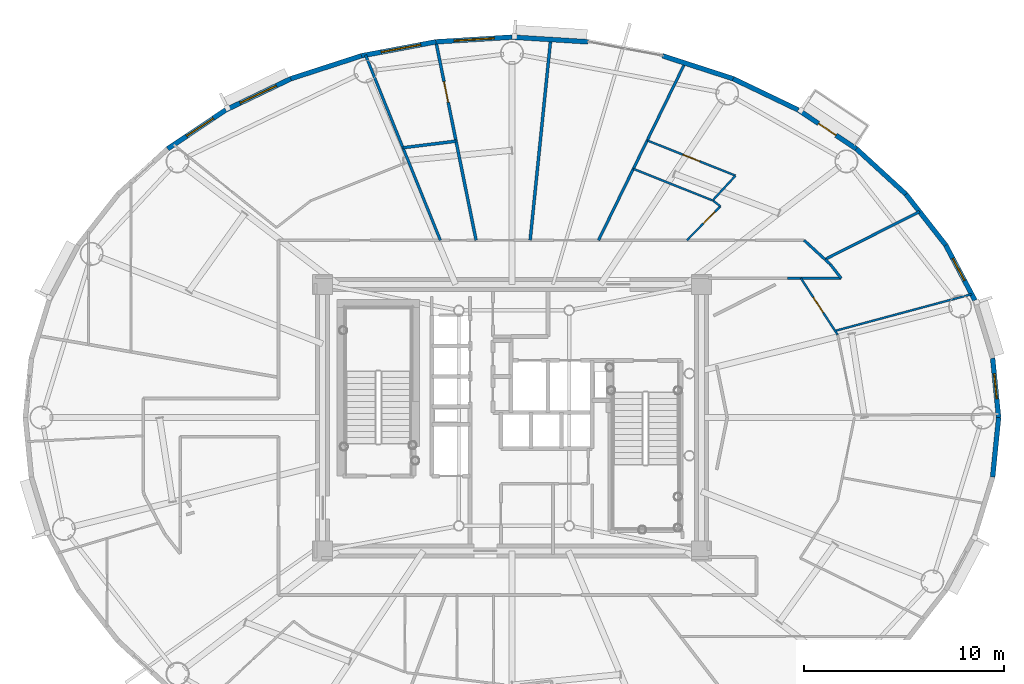
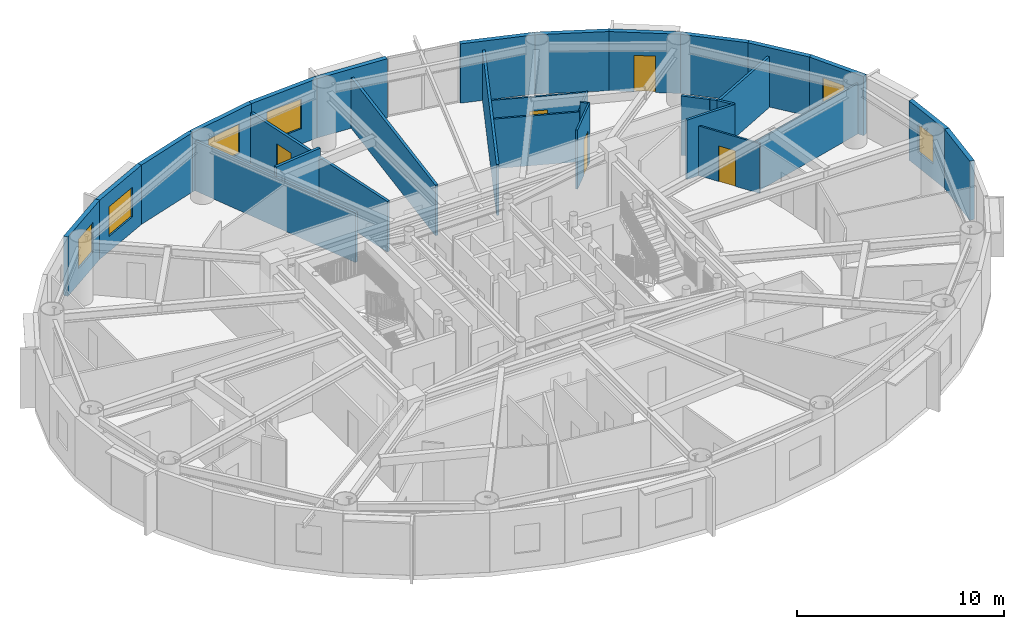
# One storey, part 13 of 21: 31 walls, 6 windows, 5 doors, 11 openings.
"""IFC4 building model written with IfcOpenShell, lengths in metres."""

from ifc_helpers import new_model, si_unit, direction, frame, frame_2d, origin, origin_2d, place, context, subcontext, project, spatial, rectangle, extrude, source, transform, mapped, material, layer, layer_set, type_object, element, fill, save


model = new_model("IFC4")

# Units and contexts
model_context = context("Model", 3, precision=1e-05, world=origin(), true_north=direction((0.0, 1.0)))
body_context = subcontext(model_context, "Body", "Model", "MODEL_VIEW")
ifc_project = project(units=[si_unit("LENGTHUNIT", "METRE"), si_unit("AREAUNIT", "SQUARE_METRE"), si_unit("VOLUMEUNIT", "CUBIC_METRE"), si_unit("PLANEANGLEUNIT", "RADIAN"), si_unit("MASSUNIT", "GRAM", prefix="KILO")], contexts=[model_context])

# Site, building, storey
site_placement = place(None, origin())
site = spatial("IfcSite", under=ifc_project, at=site_placement, CompositionType="ELEMENT")
building_placement = place(site_placement, origin())
building = spatial("IfcBuilding", under=site, at=building_placement, Name="Linh Dai School and Residence Tower", CompositionType="ELEMENT")
storey_placement = place(building_placement, frame((0.0, 0.0, 229.050048828125)))
storey = spatial("IfcBuildingStorey", under=building, at=storey_placement, Name="L56", CompositionType="ELEMENT", Elevation=229.050048828125)

# Wall, opening, window
ifc_material_1 = material(Name="Precast Concrete B45 (C35/45)", Category="concrete")
ifc_layer_1 = layer(ifc_material_1, 0.239990234375)
ifc_layer_set_1 = layer_set([ifc_layer_1], Name="Precast Concrete B45 (C35/45)")
wall_type_1 = type_object("IfcWallType", Name="EW-TC-240", PredefinedType="SOLIDWALL", material=ifc_layer_set_1)
wall_1_placement = place(storey_placement, frame((59.97705078125, 29.9638671875, 0.0), z_axis=(0.0, 0.0, 1.0), x_axis=(0.099990595253, -0.994988382274, 0.0)))
wall_1 = element("IfcWall", 1, at=wall_1_placement, inside=storey, type_object=wall_type_1, Name="L56 Terracotta Exterior Wall 01", PredefinedType="SOLIDWALL", context=body_context, shape_type="SweptSolid", body=[
    extrude(rectangle(XDim=2.978759765625, YDim=0.239990234375, at=frame_2d((1.4892578125, 0.0))), origin(), (0.0, 0.0, 1.0), 3.5),
])
opening_1_placement = place(wall_1_placement, frame((0.776611328125, 0.0, 0.89990234375)))
opening_1 = element("IfcOpeningElement", 2, at=opening_1_placement, cuts=wall_1, Name="Opening W3", PredefinedType="OPENING", context=body_context, shape_type="SweptSolid", body=[
    extrude(rectangle(XDim=1.25, YDim=1.64990234375, at=origin_2d()), frame((0.625, 0.1298828125, 0.824951171875), z_axis=(0.0, -1.0, 0.0), x_axis=(1.0, 0.0, 0.0)), (0.0, 0.0, 1.0), 0.260009765625),
])
ifc_material_2 = material(Name="Double Low-E Insulated Glazing", Category="glass")
window_type_1 = type_object("IfcWindowType", Name="WN-RES-1250x1650", PartitioningType="SINGLE_PANEL", PredefinedType="WINDOW", material=ifc_material_2)
shared_shape_1 = source(origin(), body_context, "Body", "SweptSolid", [
    extrude(rectangle(XDim=1.25, YDim=1.64990234375, at=origin_2d()), frame((0.625, 0.030029296875, 0.824951171875), z_axis=(0.0, -1.0, 0.0), x_axis=(1.0, 0.0, 0.0)), (0.0, 0.0, 1.0), 0.06005859375),
])
window_1_placement = place(opening_1_placement, origin())
window_1 = element("IfcWindow", 3, at=window_1_placement, inside=storey, type_object=window_type_1, Name="L56 Exterior Window 01.1", OverallHeight=1.64990234375, OverallWidth=1.25, PartitioningType="SINGLE_PANEL", PredefinedType="WINDOW", context=body_context, shape_type="MappedRepresentation", body=[
    mapped(shared_shape_1, transform((0.0, 0.0, 0.0), x_axis=(1.0, 0.0, 0.0), y_axis=(0.0, 1.0, 0.0), z_axis=(0.0, 0.0, 1.0), scale=1.0)),
])
fill(opening_1, window_1)

wall_2_placement = place(storey_placement, frame((57.6357421875, 35.605224609375, 0.0), z_axis=(0.0, 0.0, 1.0), x_axis=(0.46766049993, -0.883908172157, 0.0)))
wall_2 = element("IfcWall", 4, at=wall_2_placement, inside=storey, type_object=wall_type_1, Name="L56 Terracotta Exterior Wall 03", PredefinedType="SOLIDWALL", context=body_context, shape_type="SweptSolid", body=[
    extrude(rectangle(XDim=3.1103515625, YDim=0.239990234375, at=frame_2d((1.55517578125, 0.0))), origin(), (0.0, 0.0, 1.0), 3.5),
])
opening_2_placement = place(wall_2_placement, frame((0.751220703125, 0.0, 0.89990234375)))
opening_2 = element("IfcOpeningElement", 5, at=opening_2_placement, cuts=wall_2, Name="Opening W3", PredefinedType="OPENING", context=body_context, shape_type="SweptSolid", body=[
    extrude(rectangle(XDim=1.25, YDim=1.64990234375, at=origin_2d()), frame((0.625, 0.1298828125, 0.824951171875), z_axis=(0.0, -1.0, 0.0), x_axis=(1.0, 0.0, 0.0)), (0.0, 0.0, 1.0), 0.260009765625),
])
window_2_placement = place(opening_2_placement, origin())
window_2 = element("IfcWindow", 6, at=window_2_placement, inside=storey, type_object=window_type_1, Name="L56 Exterior Window 03.1", OverallHeight=1.64990234375, OverallWidth=1.25, PartitioningType="SINGLE_PANEL", PredefinedType="WINDOW", context=body_context, shape_type="MappedRepresentation", body=[
    mapped(shared_shape_1, transform((0.0, 0.0, 0.0), x_axis=(1.0, 0.0, 0.0), y_axis=(0.0, 1.0, 0.0), z_axis=(0.0, 0.0, 1.0), scale=1.0)),
])
fill(opening_2, window_2)

# Walls
wall_3_placement = place(storey_placement, frame((55.6484375, 38.14453125, 0.0), z_axis=(0.0, 0.0, 1.0), x_axis=(0.616312344705, -0.787501805562, 0.0)))
element("IfcWall", 7, at=wall_3_placement, inside=storey, type_object=wall_type_1, Name="L56 Terracotta Exterior Wall 04", PredefinedType="SOLIDWALL", context=body_context, shape_type="SweptSolid", body=[
    extrude(rectangle(XDim=3.224609375, YDim=0.239990234375, at=frame_2d((1.6123046875, 0.0))), origin(), (0.0, 0.0, 1.0), 3.5),
])
wall_4_placement = place(storey_placement, frame((53.17626953125, 40.410888671875, 0.0), z_axis=(0.0, 0.0, 1.0), x_axis=(0.737123922599, -0.675757591694, 0.0)))
element("IfcWall", 8, at=wall_4_placement, inside=storey, type_object=wall_type_1, Name="L56 Terracotta Exterior Wall 05", PredefinedType="SOLIDWALL", context=body_context, shape_type="SweptSolid", body=[
    extrude(rectangle(XDim=3.353759765625, YDim=0.239990234375, at=frame_2d((1.6767578125, 0.0))), origin(), (0.0, 0.0, 1.0), 3.5),
])

# Wall, opening, door
wall_5_placement = place(storey_placement, frame((50.280029296875, 42.34765625, 0.0), z_axis=(0.0, 0.0, 1.0), x_axis=(0.831262496074, -0.555880079352, 0.0)))
wall_5 = element("IfcWall", 9, at=wall_5_placement, inside=storey, type_object=wall_type_1, Name="L56 Terracotta Exterior Wall 06", PredefinedType="SOLIDWALL", context=body_context, shape_type="SweptSolid", body=[
    extrude(rectangle(XDim=3.484130859375, YDim=0.239990234375, at=frame_2d((1.7421875, 0.0))), origin(), (0.0, 0.0, 1.0), 3.5),
])
opening_3_placement = place(wall_5_placement, frame((1.217041015625, 0.0, 0.0)))
opening_3 = element("IfcOpeningElement", 10, at=opening_3_placement, cuts=wall_5, Name="Opening BD1", PredefinedType="OPENING", context=body_context, shape_type="SweptSolid", body=[
    extrude(rectangle(XDim=1.050048828125, YDim=2.14990234375, at=origin_2d()), frame((0.52490234375, 0.1298828125, 1.074951171875), z_axis=(0.0, -1.0, 0.0), x_axis=(1.0, 0.0, 0.0)), (0.0, 0.0, 1.0), 0.260009765625),
])
ifc_material_3 = material(Name="Double-Glazed Balcony Door", Category="glass")
door_type_1 = type_object("IfcDoorType", Name="DR-BALC-1050x2150", OperationType="NOTDEFINED", PredefinedType="DOOR", material=ifc_material_3)
shared_shape_2 = source(origin(), body_context, "Body", "SweptSolid", [
    extrude(rectangle(XDim=1.050048828125, YDim=2.14990234375, at=origin_2d()), frame((0.52490234375, 0.02490234375, 1.074951171875), z_axis=(0.0, -1.0, 0.0), x_axis=(1.0, 0.0, 0.0)), (0.0, 0.0, 1.0), 0.050048828125),
])
door_1_placement = place(opening_3_placement, origin())
door_1 = element("IfcDoor", 11, at=door_1_placement, inside=storey, type_object=door_type_1, Name="L56 Glazed Balcony Door 06", OperationType="SINGLE_SWING_RIGHT", OverallHeight=2.14990234375, OverallWidth=1.050048828125, PredefinedType="DOOR", context=body_context, shape_type="MappedRepresentation", body=[
    mapped(shared_shape_2, transform((0.0, 0.0, 0.0), x_axis=(1.0, 0.0, 0.0), y_axis=(0.0, 1.0, 0.0), z_axis=(0.0, 0.0, 1.0), scale=1.0)),
])
fill(opening_3, door_1)

# Walls
wall_6_placement = place(storey_placement, frame((47.031005859375, 43.906494140625, 0.0), z_axis=(0.0, 0.0, 1.0), x_axis=(0.901598104751, -0.432574684313, 0.0)))
element("IfcWall", 12, at=wall_6_placement, inside=storey, type_object=wall_type_1, Name="L56 Terracotta Exterior Wall 07", PredefinedType="SOLIDWALL", context=body_context, shape_type="SweptSolid", body=[
    extrude(rectangle(XDim=3.603515625, YDim=0.239990234375, at=frame_2d((1.8017578125, 0.0))), origin(), (0.0, 0.0, 1.0), 3.5),
])
wall_7_placement = place(storey_placement, frame((43.50927734375, 45.048828125, 0.0), z_axis=(0.0, 0.0, 1.0), x_axis=(0.951210789182, -0.308541787354, 0.0)))
element("IfcWall", 13, at=wall_7_placement, inside=storey, type_object=wall_type_1, Name="L56 Terracotta Exterior Wall 08", PredefinedType="SOLIDWALL", context=body_context, shape_type="SweptSolid", body=[
    extrude(rectangle(XDim=3.702392578125, YDim=0.239990234375, at=frame_2d((1.85107421875, 0.0))), origin(), (0.0, 0.0, 1.0), 3.5),
])
wall_8_placement = place(storey_placement, frame((36.0, 45.97998046875, 0.0), z_axis=(0.0, 0.0, 1.0), x_axis=(0.998108785312, -0.06147237333, 0.0)))
element("IfcWall", 14, at=wall_8_placement, inside=storey, type_object=wall_type_1, Name="L56 Terracotta Exterior Wall 10", PredefinedType="SOLIDWALL", context=body_context, shape_type="SweptSolid", body=[
    extrude(rectangle(XDim=3.808837890625, YDim=0.239990234375, at=frame_2d((1.904296875, 0.0))), origin(), (0.0, 0.0, 1.0), 3.5),
])

# Wall, opening, window
wall_9_placement = place(storey_placement, frame((32.198486328125, 45.745849609375, 0.0), z_axis=(0.0, 0.0, 1.0), x_axis=(0.998108785312, 0.06147237333, 0.0)))
wall_9 = element("IfcWall", 15, at=wall_9_placement, inside=storey, type_object=wall_type_1, Name="L56 Terracotta Exterior Wall 11", PredefinedType="SOLIDWALL", context=body_context, shape_type="SweptSolid", body=[
    extrude(rectangle(XDim=3.808837890625, YDim=0.239990234375, at=frame_2d((1.904296875, 0.0))), origin(), (0.0, 0.0, 1.0), 3.5),
])
opening_4_placement = place(wall_9_placement, frame((0.913330078125, 0.0, 0.89990234375)))
opening_4 = element("IfcOpeningElement", 16, at=opening_4_placement, cuts=wall_9, Name="Opening W1", PredefinedType="OPENING", context=body_context, shape_type="SweptSolid", body=[
    extrude(rectangle(XDim=2.0, YDim=1.75, at=origin_2d()), frame((1.0, 0.1298828125, 0.875), z_axis=(0.0, -1.0, 0.0), x_axis=(1.0, 0.0, 0.0)), (0.0, 0.0, 1.0), 0.260009765625),
])
window_type_2 = type_object("IfcWindowType", Name="WN-RES-2000x1750", PartitioningType="DOUBLE_PANEL_VERTICAL", PredefinedType="WINDOW", material=ifc_material_2)
shared_shape_3 = source(origin(), body_context, "Body", "SweptSolid", [
    extrude(rectangle(XDim=2.0, YDim=1.75, at=origin_2d()), frame((1.0, 0.030029296875, 0.875), z_axis=(0.0, -1.0, 0.0), x_axis=(1.0, 0.0, 0.0)), (0.0, 0.0, 1.0), 0.06005859375),
])
window_3_placement = place(opening_4_placement, origin())
window_3 = element("IfcWindow", 17, at=window_3_placement, inside=storey, type_object=window_type_2, Name="L56 Exterior Window 11.1", OverallHeight=1.75, OverallWidth=2.0, PartitioningType="DOUBLE_PANEL_VERTICAL", PredefinedType="WINDOW", context=body_context, shape_type="MappedRepresentation", body=[
    mapped(shared_shape_3, transform((0.0, 0.0, 0.0), x_axis=(1.0, 0.0, 0.0), y_axis=(0.0, 1.0, 0.0), z_axis=(0.0, 0.0, 1.0), scale=1.0)),
])
fill(opening_4, window_3)

wall_10_placement = place(storey_placement, frame((28.49072265625, 45.048828125, 0.0), z_axis=(0.0, 0.0, 1.0), x_axis=(0.982784898575, 0.184753465822, 0.0)))
wall_10 = element("IfcWall", 18, at=wall_10_placement, inside=storey, type_object=wall_type_1, Name="L56 Terracotta Exterior Wall 12", PredefinedType="SOLIDWALL", context=body_context, shape_type="SweptSolid", body=[
    extrude(rectangle(XDim=3.772705078125, YDim=0.239990234375, at=frame_2d((1.88623046875, 0.0))), origin(), (0.0, 0.0, 1.0), 3.5),
])
opening_5_placement = place(wall_10_placement, frame((1.00634765625, 0.0, 0.89990234375)))
opening_5 = element("IfcOpeningElement", 19, at=opening_5_placement, cuts=wall_10, Name="Opening W1", PredefinedType="OPENING", context=body_context, shape_type="SweptSolid", body=[
    extrude(rectangle(XDim=2.0, YDim=1.75, at=origin_2d()), frame((1.0, 0.1298828125, 0.875), z_axis=(0.0, -1.0, 0.0), x_axis=(1.0, 0.0, 0.0)), (0.0, 0.0, 1.0), 0.260009765625),
])
window_4_placement = place(opening_5_placement, origin())
window_4 = element("IfcWindow", 20, at=window_4_placement, inside=storey, type_object=window_type_2, Name="L56 Exterior Window 12.1", OverallHeight=1.75, OverallWidth=2.0, PartitioningType="DOUBLE_PANEL_VERTICAL", PredefinedType="WINDOW", context=body_context, shape_type="MappedRepresentation", body=[
    mapped(shared_shape_3, transform((0.0, 0.0, 0.0), x_axis=(1.0, 0.0, 0.0), y_axis=(0.0, 1.0, 0.0), z_axis=(0.0, 0.0, 1.0), scale=1.0)),
])
fill(opening_5, window_4)

# Wall
wall_11_placement = place(storey_placement, frame((24.968994140625, 43.906494140625, 0.0), z_axis=(0.0, 0.0, 1.0), x_axis=(0.951210789182, 0.308541787354, 0.0)))
element("IfcWall", 21, at=wall_11_placement, inside=storey, type_object=wall_type_1, Name="L56 Terracotta Exterior Wall 13", PredefinedType="SOLIDWALL", context=body_context, shape_type="SweptSolid", body=[
    extrude(rectangle(XDim=3.702392578125, YDim=0.239990234375, at=frame_2d((1.85107421875, 0.0))), origin(), (0.0, 0.0, 1.0), 3.5),
])

# Wall, opening, window
wall_12_placement = place(storey_placement, frame((21.719970703125, 42.34765625, 0.0), z_axis=(0.0, 0.0, 1.0), x_axis=(0.901598104751, 0.432574684313, 0.0)))
wall_12 = element("IfcWall", 22, at=wall_12_placement, inside=storey, type_object=wall_type_1, Name="L56 Terracotta Exterior Wall 14", PredefinedType="SOLIDWALL", context=body_context, shape_type="SweptSolid", body=[
    extrude(rectangle(XDim=3.603515625, YDim=0.239990234375, at=frame_2d((1.8017578125, 0.0))), origin(), (0.0, 0.0, 1.0), 3.5),
])
opening_6_placement = place(wall_12_placement, frame((0.802001953125, 0.0, 0.89990234375)))
opening_6 = element("IfcOpeningElement", 23, at=opening_6_placement, cuts=wall_12, Name="Opening W1", PredefinedType="OPENING", context=body_context, shape_type="SweptSolid", body=[
    extrude(rectangle(XDim=2.0, YDim=1.75, at=origin_2d()), frame((1.0, 0.1298828125, 0.875), z_axis=(0.0, -1.0, 0.0), x_axis=(1.0, 0.0, 0.0)), (0.0, 0.0, 1.0), 0.260009765625),
])
window_5_placement = place(opening_6_placement, origin())
window_5 = element("IfcWindow", 24, at=window_5_placement, inside=storey, type_object=window_type_2, Name="L56 Exterior Window 14.1", OverallHeight=1.75, OverallWidth=2.0, PartitioningType="DOUBLE_PANEL_VERTICAL", PredefinedType="WINDOW", context=body_context, shape_type="MappedRepresentation", body=[
    mapped(shared_shape_3, transform((0.0, 0.0, 0.0), x_axis=(1.0, 0.0, 0.0), y_axis=(0.0, 1.0, 0.0), z_axis=(0.0, 0.0, 1.0), scale=1.0)),
])
fill(opening_6, window_5)

wall_13_placement = place(storey_placement, frame((18.82373046875, 40.410888671875, 0.0), z_axis=(0.0, 0.0, 1.0), x_axis=(0.831262496074, 0.555880079352, 0.0)))
wall_13 = element("IfcWall", 25, at=wall_13_placement, inside=storey, type_object=wall_type_1, Name="L56 Terracotta Exterior Wall 15", PredefinedType="SOLIDWALL", context=body_context, shape_type="SweptSolid", body=[
    extrude(rectangle(XDim=3.484130859375, YDim=0.239990234375, at=frame_2d((1.7421875, 0.0))), origin(), (0.0, 0.0, 1.0), 3.5),
])
opening_7_placement = place(wall_13_placement, frame((1.14013671875, 0.0, 0.89990234375)))
opening_7 = element("IfcOpeningElement", 26, at=opening_7_placement, cuts=wall_13, Name="Opening W2", PredefinedType="OPENING", context=body_context, shape_type="SweptSolid", body=[
    extrude(rectangle(XDim=1.60009765625, YDim=1.75, at=origin_2d()), frame((0.800048828125, 0.1298828125, 0.875), z_axis=(0.0, -1.0, 0.0), x_axis=(1.0, 0.0, 0.0)), (0.0, 0.0, 1.0), 0.260009765625),
])
window_type_3 = type_object("IfcWindowType", Name="WN-RES-1600x1750", PartitioningType="DOUBLE_PANEL_VERTICAL", PredefinedType="WINDOW", material=ifc_material_2)
shared_shape_4 = source(origin(), body_context, "Body", "SweptSolid", [
    extrude(rectangle(XDim=1.60009765625, YDim=1.75, at=origin_2d()), frame((0.800048828125, 0.030029296875, 0.875), z_axis=(0.0, -1.0, 0.0), x_axis=(1.0, 0.0, 0.0)), (0.0, 0.0, 1.0), 0.06005859375),
])
window_6_placement = place(opening_7_placement, origin())
window_6 = element("IfcWindow", 27, at=window_6_placement, inside=storey, type_object=window_type_3, Name="L56 Exterior Window 15.1", OverallHeight=1.75, OverallWidth=1.60009765625, PartitioningType="DOUBLE_PANEL_VERTICAL", PredefinedType="WINDOW", context=body_context, shape_type="MappedRepresentation", body=[
    mapped(shared_shape_4, transform((0.0, 0.0, 0.0), x_axis=(1.0, 0.0, 0.0), y_axis=(0.0, 1.0, 0.0), z_axis=(0.0, 0.0, 1.0), scale=1.0)),
])
fill(opening_7, window_6)

# Walls
wall_14_placement = place(storey_placement, frame((60.27490234375, 27.0, 0.0), z_axis=(0.0, 0.0, 1.0), x_axis=(-0.099990595253, -0.994988382274, 0.0)))
element("IfcWall", 28, at=wall_14_placement, inside=storey, type_object=wall_type_1, Name="L56 Terracotta Exterior Wall 40", PredefinedType="SOLIDWALL", context=body_context, shape_type="SweptSolid", body=[
    extrude(rectangle(XDim=2.978759765625, YDim=0.239990234375, at=frame_2d((1.4892578125, 0.0))), origin(), (0.0, 0.0, 1.0), 3.5),
])
ifc_material_4 = material(Name="Autoclaved Aerated Concrete Blockwork", Category="masonry")
ifc_layer_2 = layer(ifc_material_4, 0.135009765625)
ifc_layer_set_2 = layer_set([ifc_layer_2], Name="Autoclaved Aerated Concrete Blockwork")
wall_type_2 = type_object("IfcWallType", Name="IW-CORR-135-EI90", PredefinedType="PARTITIONING", material=ifc_layer_set_2)
wall_15_placement = place(storey_placement, frame((28.690673828125, 45.09130859375, 0.0), z_axis=(0.0, 0.0, 1.0), x_axis=(0.37459385956, -0.927188999277, 0.0)))
element("IfcWall", 29, at=wall_15_placement, inside=storey, type_object=wall_type_2, Name="L56 Interior Partition Wall 026", PredefinedType="PARTITIONING", context=body_context, shape_type="SweptSolid", body=[
    extrude(rectangle(XDim=9.96728515625, YDim=0.135009765625, at=frame_2d((4.983642578125, 0.0))), origin(), (0.0, 0.0, 1.0), 2.93505859375),
])
wall_16_placement = place(storey_placement, frame((40.31640625, 35.85009765625, 0.0), z_axis=(0.0, 0.0, 1.0), x_axis=(0.438375708348, 0.898791821464, 0.0)))
element("IfcWall", 30, at=wall_16_placement, inside=storey, type_object=wall_type_2, Name="L56 Interior Partition Wall 066", PredefinedType="PARTITIONING", context=body_context, shape_type="SweptSolid", body=[
    extrude(rectangle(XDim=9.83642578125, YDim=0.135009765625, at=frame_2d((4.918212890625, 0.0))), origin(), (0.0, 0.0, 1.0), 2.98486328125),
])
wall_17_placement = place(storey_placement, frame((49.74755859375, 33.949951171875, 0.0), z_axis=(0.0, 0.0, 1.0), x_axis=(1.0, 0.0, 0.0)))
element("IfcWall", 31, at=wall_17_placement, inside=storey, type_object=wall_type_2, Name="L56 Interior Partition Wall 080", PredefinedType="PARTITIONING", context=body_context, shape_type="SweptSolid", body=[
    extrude(rectangle(XDim=2.67626953125, YDim=0.135009765625, at=frame_2d((1.338134765625, 0.0))), origin(), (0.0, 0.0, 1.0), 3.5),
])
wall_18_placement = place(storey_placement, frame((50.56787109375, 35.85009765625, 0.0), z_axis=(0.0, 0.0, 1.0), x_axis=(0.737032525587, -0.675857275042, 0.0)))
element("IfcWall", 32, at=wall_18_placement, inside=storey, type_object=wall_type_2, Name="L56 Interior Partition Wall 084", PredefinedType="PARTITIONING", context=body_context, shape_type="SweptSolid", body=[
    extrude(rectangle(XDim=1.416748046875, YDim=0.135009765625, at=frame_2d((0.70849609375, 0.0))), origin(), (0.0, 0.0, 1.0), 3.5),
])
wall_19_placement = place(storey_placement, frame((51.61962890625, 34.885986328125, 0.0), z_axis=(0.0, 0.0, 1.0), x_axis=(0.736889635292, -0.676013065998, 0.0)))
element("IfcWall", 33, at=wall_19_placement, inside=storey, type_object=wall_type_2, Name="L56 Interior Partition Wall 085", PredefinedType="PARTITIONING", context=body_context, shape_type="SweptSolid", body=[
    extrude(rectangle(XDim=0.344970703125, YDim=0.135009765625, at=frame_2d((0.17236328125, 0.0))), origin(), (0.0, 0.0, 1.0), 3.5),
])
wall_20_placement = place(storey_placement, frame((51.612060546875, 34.892578125, 0.0), z_axis=(0.0, 0.0, 1.0), x_axis=(0.892442847759, 0.451160463122, 0.0)))
element("IfcWall", 34, at=wall_20_placement, inside=storey, type_object=wall_type_2, Name="L56 Interior Partition Wall 086", PredefinedType="PARTITIONING", context=body_context, shape_type="SweptSolid", body=[
    extrude(rectangle(XDim=5.2890625, YDim=0.135009765625, at=frame_2d((2.64453125, 0.0))), origin(), (0.0, 0.0, 1.0), 2.98486328125),
])
wall_21_placement = place(storey_placement, frame((51.873779296875, 34.65283203125, 0.0), z_axis=(0.0, 0.0, 1.0), x_axis=(0.61628613448, -0.787522317429, 0.0)))
element("IfcWall", 35, at=wall_21_placement, inside=storey, type_object=wall_type_2, Name="L56 Interior Partition Wall 087", PredefinedType="PARTITIONING", context=body_context, shape_type="SweptSolid", body=[
    extrude(rectangle(XDim=0.892578125, YDim=0.135009765625, at=frame_2d((0.4462890625, 0.0))), origin(), (0.0, 0.0, 1.0), 3.5),
])
ifc_layer_3 = layer(ifc_material_4, 0.14990234375)
ifc_layer_set_3 = layer_set([ifc_layer_3], Name="Autoclaved Aerated Concrete Blockwork")
wall_type_3 = type_object("IfcWallType", Name="IW-SCH-150-EI60", PredefinedType="PARTITIONING", material=ifc_layer_set_3)
wall_22_placement = place(storey_placement, frame((30.560546875, 40.463134765625, 0.0), z_axis=(0.0, 0.0, 1.0), x_axis=(0.992402619978, 0.123032678023, 0.0)))
element("IfcWall", 36, at=wall_22_placement, inside=storey, type_object=wall_type_3, Name="L56 Interior Partition Wall 028", PredefinedType="PARTITIONING", context=body_context, shape_type="SweptSolid", body=[
    extrude(rectangle(XDim=2.6689453125, YDim=0.14990234375, at=frame_2d((1.33447265625, 0.0))), origin(), (0.0, 0.0, 1.0), 3.5),
])

# Wall, opening, door
wall_23_placement = place(storey_placement, frame((32.20556640625, 45.751220703125, 0.0), z_axis=(0.0, 0.0, 1.0), x_axis=(0.198323299654, -0.980136658234, 0.0)))
wall_23 = element("IfcWall", 37, at=wall_23_placement, inside=storey, type_object=wall_type_3, Name="L56 Interior Partition Wall 038", PredefinedType="PARTITIONING", context=body_context, shape_type="SweptSolid", body=[
    extrude(rectangle(XDim=10.101806640625, YDim=0.14990234375, at=frame_2d((5.05078125, 0.0))), origin(), (0.0, 0.0, 1.0), 2.98486328125),
])
opening_8_placement = place(wall_23_placement, frame((2.025146484375, 0.0, 0.0)))
opening_8 = element("IfcOpeningElement", 38, at=opening_8_placement, cuts=wall_23, Name="Opening D04", PredefinedType="OPENING", context=body_context, shape_type="SweptSolid", body=[
    extrude(rectangle(XDim=1.050048828125, YDim=2.14990234375, at=origin_2d()), frame((0.52490234375, 0.0849609375, 1.074951171875), z_axis=(0.0, -1.0, 0.0), x_axis=(1.0, 0.0, 0.0)), (0.0, 0.0, 1.0), 0.169921875),
])
ifc_material_5 = material(Name="Acoustic Vision-Panel Timber Classroom Door", Category="wood")
door_type_2 = type_object("IfcDoorType", Name="DR-SCH-1050x2150-FD60S", OperationType="NOTDEFINED", PredefinedType="DOOR", material=ifc_material_5)
door_2_placement = place(opening_8_placement, origin())
door_2 = element("IfcDoor", 39, at=door_2_placement, inside=storey, type_object=door_type_2, Name="L56 Amenity Tea Salon Door", OperationType="SINGLE_SWING_RIGHT", OverallHeight=2.14990234375, OverallWidth=1.050048828125, PredefinedType="DOOR", context=body_context, shape_type="MappedRepresentation", body=[
    mapped(shared_shape_2, transform((0.0, 0.0, 0.0), x_axis=(1.0, 0.0, 0.0), y_axis=(0.0, 1.0, 0.0), z_axis=(0.0, 0.0, 1.0), scale=1.0)),
])
fill(opening_8, door_2)

# Walls
wall_24_placement = place(storey_placement, frame((36.9052734375, 35.85009765625, 0.0), z_axis=(0.0, 0.0, 1.0), x_axis=(0.101745833159, 0.994810426883, 0.0)))
element("IfcWall", 40, at=wall_24_placement, inside=storey, type_object=wall_type_3, Name="L56 Interior Partition Wall 056", PredefinedType="PARTITIONING", context=body_context, shape_type="SweptSolid", body=[
    extrude(rectangle(XDim=10.068359375, YDim=0.14990234375, at=frame_2d((5.0341796875, 0.0))), origin(), (0.0, 0.0, 1.0), 2.98486328125),
])
ifc_material_6 = material(Name="Gypsum Plasterboard Acoustic Stud Partition", Category="masonry")
ifc_layer_4 = layer(ifc_material_6, 0.10009765625)
ifc_layer_set_4 = layer_set([ifc_layer_4], Name="Gypsum Plasterboard Acoustic Stud Partition")
wall_type_4 = type_object("IfcWallType", Name="IW-UNIT-100", PredefinedType="PARTITIONING", material=ifc_layer_set_4)
wall_25_placement = place(storey_placement, frame((42.052734375, 39.409912109375, 0.0), z_axis=(0.0, 0.0, 1.0), x_axis=(0.928800647075, -0.370579759286, 0.0)))
element("IfcWall", 41, at=wall_25_placement, inside=storey, type_object=wall_type_4, Name="L56 Interior Partition Wall 069", PredefinedType="PARTITIONING", context=body_context, shape_type="SweptSolid", body=[
    extrude(rectangle(XDim=4.25732421875, YDim=0.10009765625, at=frame_2d((2.128662109375, 0.0))), origin(), (0.0, 0.0, 1.0), 2.93505859375),
])

# Wall, opening, door
wall_26_placement = place(storey_placement, frame((42.744384765625, 40.828125, 0.0), z_axis=(0.0, 0.0, 1.0), x_axis=(0.928817025393, -0.370538706939, 0.0)))
wall_26 = element("IfcWall", 42, at=wall_26_placement, inside=storey, type_object=wall_type_4, Name="L56 Interior Partition Wall 070", PredefinedType="PARTITIONING", context=body_context, shape_type="SweptSolid", body=[
    extrude(rectangle(XDim=4.743896484375, YDim=0.10009765625, at=frame_2d((2.3720703125, 0.0))), origin(), (0.0, 0.0, 1.0), 2.93505859375),
])
opening_9_placement = place(wall_26_placement, frame((1.921875, 0.0, 0.0)))
opening_9 = element("IfcOpeningElement", 43, at=opening_9_placement, cuts=wall_26, Name="Opening D05", PredefinedType="OPENING", context=body_context, shape_type="SweptSolid", body=[
    extrude(rectangle(XDim=0.89990234375, YDim=2.10009765625, at=origin_2d()), frame((0.449951171875, 0.06005859375, 1.050048828125), z_axis=(0.0, -1.0, 0.0), x_axis=(1.0, 0.0, 0.0)), (0.0, 0.0, 1.0), 0.1201171875),
])
ifc_material_7 = material(Name="Engineered Timber Internal Door", Category="wood")
door_type_3 = type_object("IfcDoorType", Name="DR-INT-900x2100", OperationType="NOTDEFINED", PredefinedType="DOOR", material=ifc_material_7)
shared_shape_5 = source(origin(), body_context, "Body", "SweptSolid", [
    extrude(rectangle(XDim=0.89990234375, YDim=2.10009765625, at=origin_2d()), frame((0.449951171875, 0.02490234375, 1.050048828125), z_axis=(0.0, -1.0, 0.0), x_axis=(1.0, 0.0, 0.0)), (0.0, 0.0, 1.0), 0.050048828125),
])
door_3_placement = place(opening_9_placement, origin())
door_3 = element("IfcDoor", 44, at=door_3_placement, inside=storey, type_object=door_type_3, Name="L56 Apartment U5605 Kitchen Door", OperationType="SINGLE_SWING_RIGHT", OverallHeight=2.10009765625, OverallWidth=0.89990234375, PredefinedType="DOOR", context=body_context, shape_type="MappedRepresentation", body=[
    mapped(shared_shape_5, transform((0.0, 0.0, 0.0), x_axis=(1.0, 0.0, 0.0), y_axis=(0.0, 1.0, 0.0), z_axis=(0.0, 0.0, 1.0), scale=1.0)),
])
fill(opening_9, door_3)

wall_27_placement = place(storey_placement, frame((44.724365234375, 35.85009765625, 0.0), z_axis=(0.0, 0.0, 1.0), x_axis=(0.702107196604, 0.712071263622, 0.0)))
wall_27 = element("IfcWall", 45, at=wall_27_placement, inside=storey, type_object=wall_type_4, Name="L56 Interior Partition Wall 074", PredefinedType="PARTITIONING", context=body_context, shape_type="SweptSolid", body=[
    extrude(rectangle(XDim=2.376708984375, YDim=0.10009765625, at=frame_2d((1.1884765625, 0.0))), origin(), (0.0, 0.0, 1.0), 3.5),
])
opening_10_placement = place(wall_27_placement, frame((1.17333984375, 0.0, 0.0)))
opening_10 = element("IfcOpeningElement", 46, at=opening_10_placement, cuts=wall_27, Name="Opening D06", PredefinedType="OPENING", context=body_context, shape_type="SweptSolid", body=[
    extrude(rectangle(XDim=0.820068359375, YDim=2.10009765625, at=origin_2d()), frame((0.41015625, 0.06005859375, 1.050048828125), z_axis=(0.0, -1.0, 0.0), x_axis=(1.0, 0.0, 0.0)), (0.0, 0.0, 1.0), 0.1201171875),
])
ifc_material_8 = material(Name="Moisture-Resistant Timber Bathroom Door", Category="wood")
door_type_4 = type_object("IfcDoorType", Name="DR-WET-820x2100", OperationType="NOTDEFINED", PredefinedType="DOOR", material=ifc_material_8)
shared_shape_6 = source(origin(), body_context, "Body", "SweptSolid", [
    extrude(rectangle(XDim=0.820068359375, YDim=2.10009765625, at=origin_2d()), frame((0.41015625, 0.02490234375, 1.050048828125), z_axis=(0.0, -1.0, 0.0), x_axis=(1.0, 0.0, 0.0)), (0.0, 0.0, 1.0), 0.050048828125),
])
door_4_placement = place(opening_10_placement, origin())
door_4 = element("IfcDoor", 47, at=door_4_placement, inside=storey, type_object=door_type_4, Name="L56 Apartment U5605 Bathroom Door", OperationType="SINGLE_SWING_LEFT", OverallHeight=2.10009765625, OverallWidth=0.820068359375, PredefinedType="DOOR", context=body_context, shape_type="MappedRepresentation", body=[
    mapped(shared_shape_6, transform((0.0, 0.0, 0.0), x_axis=(1.0, 0.0, 0.0), y_axis=(0.0, 1.0, 0.0), z_axis=(0.0, 0.0, 1.0), scale=1.0)),
])
fill(opening_10, door_4)

# Walls
wall_28_placement = place(storey_placement, frame((46.0068359375, 37.832275390625, 0.0), z_axis=(0.0, 0.0, 1.0), x_axis=(0.678598883011, 0.734509057791, 0.0)))
element("IfcWall", 48, at=wall_28_placement, inside=storey, type_object=wall_type_4, Name="L56 Interior Partition Wall 076", PredefinedType="PARTITIONING", context=body_context, shape_type="SweptSolid", body=[
    extrude(rectangle(XDim=1.685546875, YDim=0.10009765625, at=frame_2d((0.8427734375, 0.0))), origin(), (0.0, 0.0, 1.0), 2.98486328125),
])
wall_29_placement = place(storey_placement, frame((46.039306640625, 37.8193359375, 0.0), z_axis=(0.0, 0.0, 1.0), x_axis=(0.787505001008, -0.616308261658, 0.0)))
element("IfcWall", 49, at=wall_29_placement, inside=storey, type_object=wall_type_4, Name="L56 Interior Partition Wall 077", PredefinedType="PARTITIONING", context=body_context, shape_type="SweptSolid", body=[
    extrude(rectangle(XDim=0.44921875, YDim=0.10009765625, at=frame_2d((0.224609375, 0.0))), origin(), (0.0, 0.0, 1.0), 3.5),
])

# Wall, opening, door
wall_30_placement = place(storey_placement, frame((50.41064453125, 33.949951171875, 0.0), z_axis=(0.0, 0.0, 1.0), x_axis=(0.545427530909, -0.838157985422, 0.0)))
wall_30 = element("IfcWall", 50, at=wall_30_placement, inside=storey, type_object=wall_type_4, Name="L56 Interior Partition Wall 083", PredefinedType="PARTITIONING", context=body_context, shape_type="SweptSolid", body=[
    extrude(rectangle(XDim=3.3603515625, YDim=0.10009765625, at=frame_2d((1.68017578125, 0.0))), origin(), (0.0, 0.0, 1.0), 2.93505859375),
])
opening_11_placement = place(wall_30_placement, frame((1.134521484375, 0.0, 0.0)))
opening_11 = element("IfcOpeningElement", 51, at=opening_11_placement, cuts=wall_30, Name="Opening D05", PredefinedType="OPENING", context=body_context, shape_type="SweptSolid", body=[
    extrude(rectangle(XDim=0.89990234375, YDim=2.10009765625, at=origin_2d()), frame((0.449951171875, 0.06005859375, 1.050048828125), z_axis=(0.0, -1.0, 0.0), x_axis=(1.0, 0.0, 0.0)), (0.0, 0.0, 1.0), 0.1201171875),
])
door_5_placement = place(opening_11_placement, origin())
door_5 = element("IfcDoor", 52, at=door_5_placement, inside=storey, type_object=door_type_3, Name="L56 Apartment U5604 Study Door", OperationType="SINGLE_SWING_LEFT", OverallHeight=2.10009765625, OverallWidth=0.89990234375, PredefinedType="DOOR", context=body_context, shape_type="MappedRepresentation", body=[
    mapped(shared_shape_5, transform((0.0, 0.0, 0.0), x_axis=(1.0, 0.0, 0.0), y_axis=(0.0, 1.0, 0.0), z_axis=(0.0, 0.0, 1.0), scale=1.0)),
])
fill(opening_11, door_5)

# Wall
wall_31_placement = place(storey_placement, frame((52.1171875, 31.32763671875, 0.0), z_axis=(0.0, 0.0, 1.0), x_axis=(0.965792157348, 0.259317390095, 0.0)))
element("IfcWall", 53, at=wall_31_placement, inside=storey, type_object=wall_type_4, Name="L56 Interior Partition Wall 088", PredefinedType="PARTITIONING", context=body_context, shape_type="SweptSolid", body=[
    extrude(rectangle(XDim=7.06005859375, YDim=0.10009765625, at=frame_2d((3.530029296875, 0.0))), origin(), (0.0, 0.0, 1.0), 2.98486328125),
])

save(model, "model.ifc")
